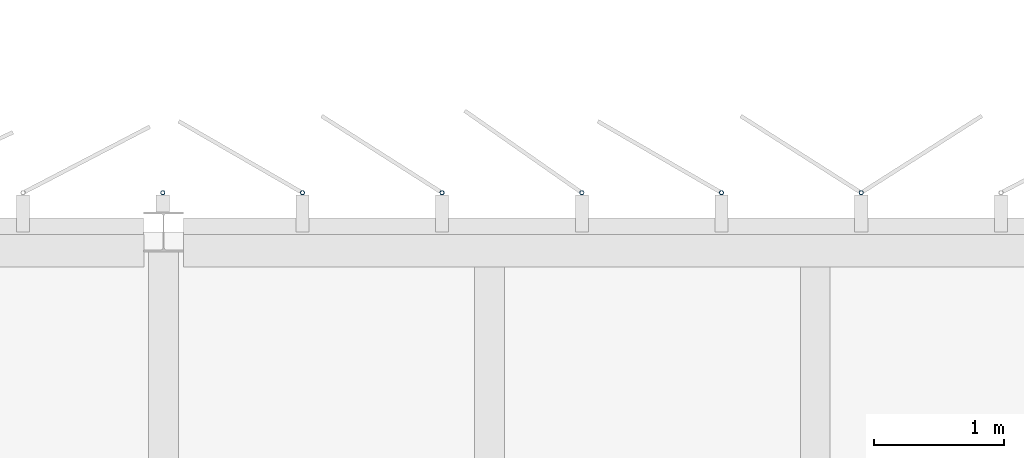
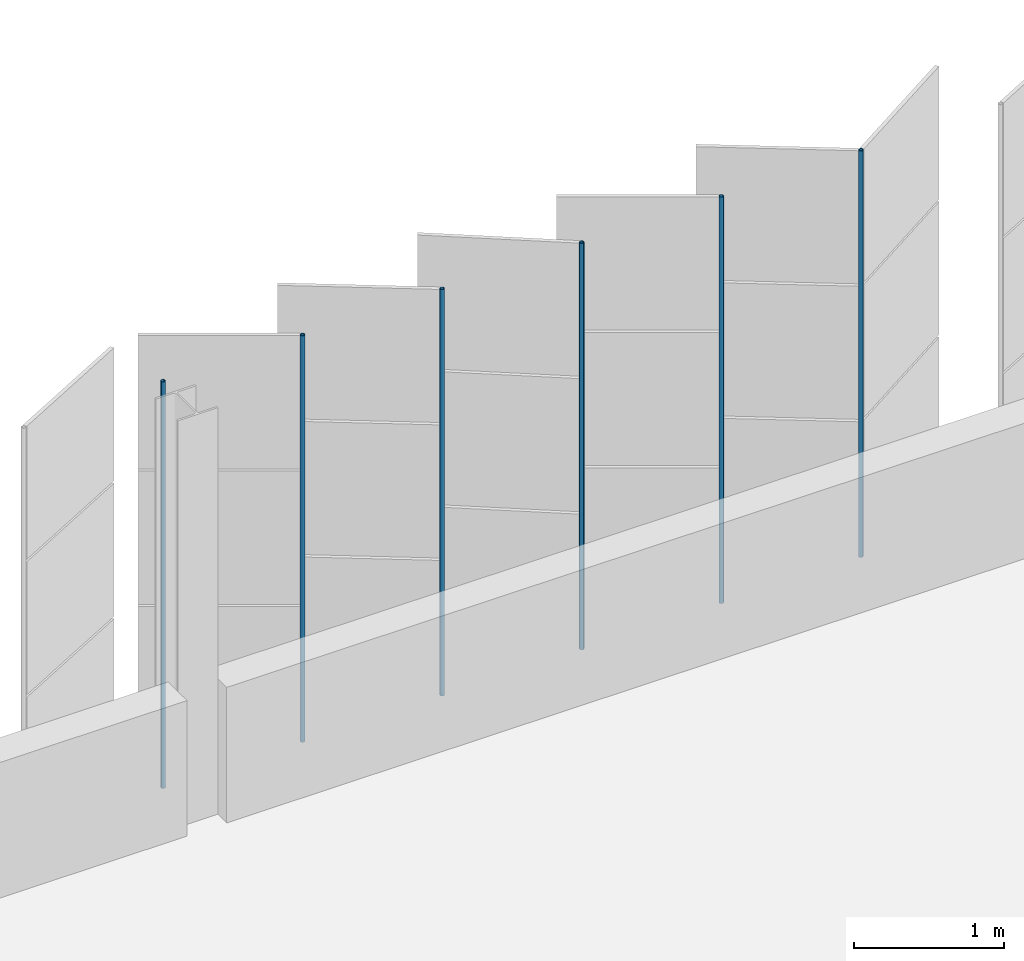
# One storey, part 146 of 199: 6 discrete accessories.
"""IFC4 building model written with IfcOpenShell, lengths in metres."""

from ifc_helpers import new_model, si_unit, direction, frame, origin, origin_2d, place, context, subcontext, project, spatial, hollow_circle, extrude, material, material_profile, profile_set, type_object, element, save


model = new_model("IFC4")

# Units and contexts
model_context = context("Model", 3, precision=1e-05, world=origin(), true_north=direction((0.0, 1.0)))
body_context = subcontext(model_context, "Body", "Model", "MODEL_VIEW")
ifc_project = project(units=[si_unit("LENGTHUNIT", "METRE"), si_unit("AREAUNIT", "SQUARE_METRE"), si_unit("VOLUMEUNIT", "CUBIC_METRE"), si_unit("PLANEANGLEUNIT", "RADIAN"), si_unit("MASSUNIT", "GRAM", prefix="KILO")], contexts=[model_context])

# Site, building, storey
site_placement = place(None, origin())
site = spatial("IfcSite", under=ifc_project, at=site_placement, CompositionType="ELEMENT")
building_placement = place(site_placement, origin())
building = spatial("IfcBuilding", under=site, at=building_placement, Name="Parallax Yard Mobility Hub", CompositionType="ELEMENT")
storey_placement = place(building_placement, frame((0.0, 0.0, 9.89990234375)))
storey = spatial("IfcBuildingStorey", under=building, at=storey_placement, Name="L03", CompositionType="ELEMENT", Elevation=9.89990234375)

# Discrete accessories
ifc_material = material(Name="Steel ASTM A500 Gr C, hot-dip galvanised", Category="steel")
ifc_material_profile = material_profile(ifc_material, hollow_circle(Radius=0.016845703125, WallThickness=0.003173828125, at=origin_2d()), Name="CHS 33.7x3.2")
ifc_profile_set = profile_set([ifc_material_profile], Name="Steel ASTM A500 Gr C, hot-dip galvanised")
discrete_accessory_type = type_object("IfcDiscreteAccessoryType", Name="Hinge post CHS 33.7x3.2", PredefinedType="BRACKET", material=ifc_profile_set)
for number, where, z_axis, x_axis, name in (
    (1, (110.351806640625, 142.800048828125, 0.0), (0.0, 0.0, 1.0), (1.0, 0.0, 0.0), "Hinge post bay 59.3 level L03"),
    (2, (109.280029296875, 142.800048828125, 0.0), (0.0, 0.0, 1.0), (1.0, 0.0, 0.0), "Hinge post bay 59.4 level L03"),
    (3, (108.20849609375, 142.800048828125, 0.0), (0.0, 0.0, 1.0), (1.0, 0.0, 0.0), "Hinge post bay 59.5 level L03"),
    (4, (107.136962890625, 142.800048828125, 0.0), (0.0, 0.0, 1.0), (1.0, 0.0, 0.0), "Hinge post bay 59.6 level L03"),
    (5, (106.0654296875, 142.800048828125, 0.0), (0.0, 0.0, 1.0), (1.0, 0.0, 0.0), "Hinge post bay 59.7 level L03"),
    (6, (104.993896484375, 142.800048828125, 0.0), (0.0, 0.0, 1.0), (1.0, 0.0, 0.0), "Hinge post bay 60.1 level L03"),
):
    element("IfcDiscreteAccessory", number, at=place(storey_placement, frame(where, z_axis=z_axis, x_axis=x_axis)), inside=storey, type_object=discrete_accessory_type, Name=name, PredefinedType="BRACKET", context=body_context, shape_type="SweptSolid", body=[
        extrude(hollow_circle(Radius=0.016845703125, WallThickness=0.003173828125, at=origin_2d()), origin(), (0.0, 0.0, 1.0), 3.300048828125),
    ])

save(model, "model.ifc")
